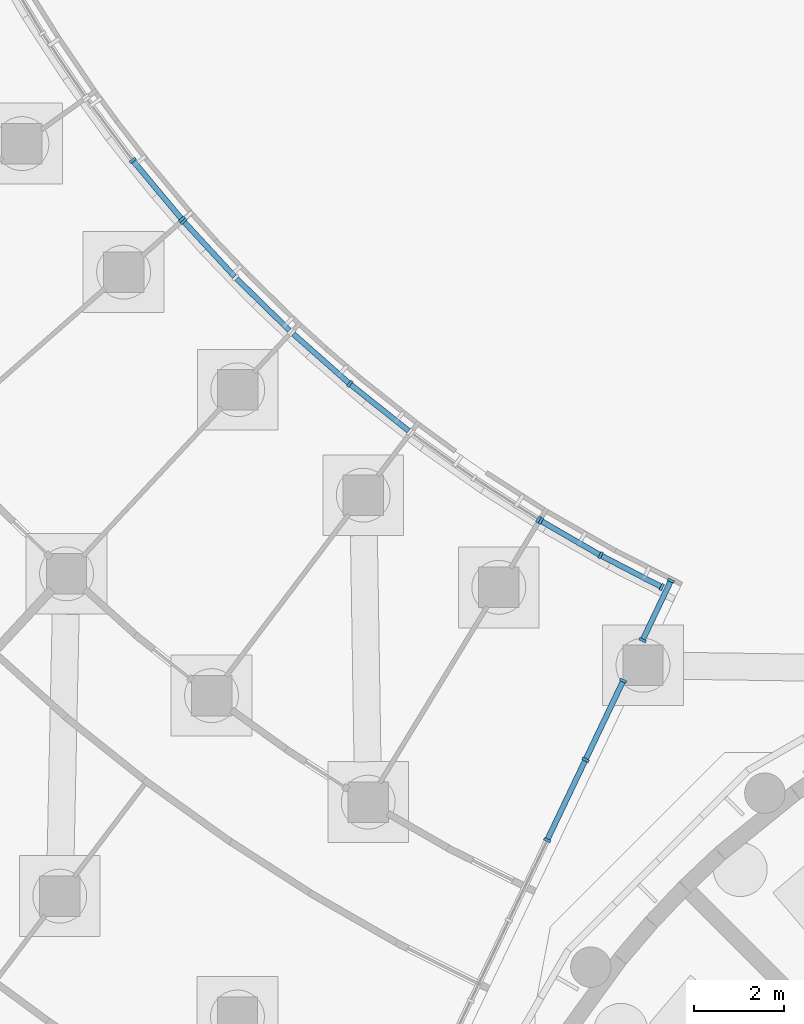
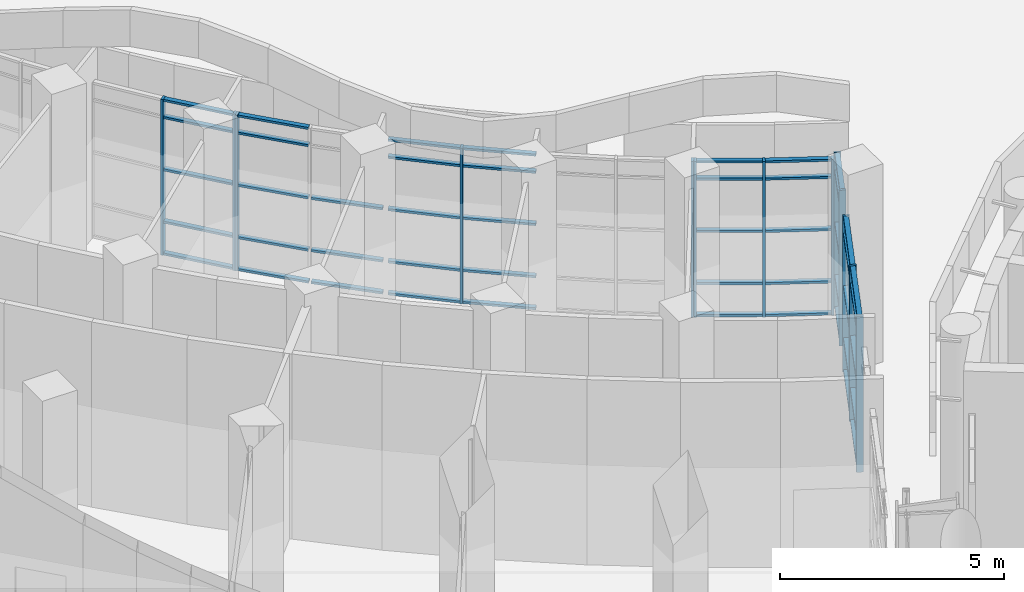
# One storey, part 26 of 146: 61 members, 7 elements without a shape of their own.
"""IFC4 building model written with IfcOpenShell, lengths in metres."""

from ifc_helpers import new_model, si_unit, direction, frame, origin, origin_2d, place, context, subcontext, project, spatial, rectangle, extrude, material, material_profile, profile_set, type_object, element, aggregate, save


model = new_model("IFC4")

# Units and contexts
model_context = context("Model", 3, precision=1e-05, world=origin(), true_north=direction((0.0, 1.0)))
body_context = subcontext(model_context, "Body", "Model", "MODEL_VIEW")
ifc_project = project(units=[si_unit("LENGTHUNIT", "METRE"), si_unit("AREAUNIT", "SQUARE_METRE"), si_unit("VOLUMEUNIT", "CUBIC_METRE"), si_unit("PLANEANGLEUNIT", "RADIAN"), si_unit("MASSUNIT", "GRAM", prefix="KILO")], contexts=[model_context])

# Site, building, storey
site_placement = place(None, origin())
site = spatial("IfcSite", under=ifc_project, at=site_placement, CompositionType="ELEMENT")
building_placement = place(site_placement, origin())
building = spatial("IfcBuilding", under=site, at=building_placement, Name="Bougainvillea Quay General Hospital", CompositionType="ELEMENT")
storey_placement = place(building_placement, origin())
storey = spatial("IfcBuildingStorey", under=building, at=storey_placement, Name="L00", CompositionType="ELEMENT", Elevation=0.0)

# Curtain wall, members
ifc_material_1 = material(Name="Aluminium curtain wall system, powder-coated glazed", Category="aluminium")
curtain_wall_type_1 = type_object("IfcCurtainWallType", Name="Unitised curtain wall CW-1982", PredefinedType="NOTDEFINED", material=ifc_material_1)
curtain_wall_1_placement = place(storey_placement, origin())
curtain_wall_1 = element("IfcCurtainWall", 1, at=curtain_wall_1_placement, inside=storey, type_object=curtain_wall_type_1, Name="CW-AE 00", PredefinedType="NOTDEFINED")
ifc_material_2 = material(Name="Aluminium mullion, powder-coated charcoal", Category="aluminium")
ifc_material_profile_1 = material_profile(ifc_material_2, rectangle(XDim=0.159912109375, YDim=0.06005859375, at=origin_2d()))
ifc_profile_set_1 = profile_set([ifc_material_profile_1], Name="Aluminium mullion, powder-coated charcoal")
member_type_1 = type_object("IfcMemberType", Name="Curtain wall mullion 160x60", PredefinedType="MULLION", material=ifc_profile_set_1)
member_1_placement = place(storey_placement, frame((91.56787109375, 89.614013671875, 0.0), z_axis=(0.0, 0.0, 1.0), x_axis=(-0.902560506484, 0.430563040838, 0.0)))
member_1 = element("IfcMember", 2, at=member_1_placement, type_object=member_type_1, Name="CW-AE mullion 6", PredefinedType="MULLION", context=body_context, shape_type="SweptSolid", body=[
    extrude(rectangle(XDim=0.159912109375, YDim=0.06005859375, at=origin_2d()), origin(), (0.0, 0.0, 1.0), 4.25),
])
member_2_placement = place(storey_placement, frame((92.4208984375, 91.402099609375, 0.0), z_axis=(0.0, 0.0, 1.0), x_axis=(-0.902560506484, 0.430563040838, 0.0)))
member_2 = element("IfcMember", 3, at=member_2_placement, type_object=member_type_1, Name="CW-AE mullion 7", PredefinedType="MULLION", context=body_context, shape_type="SweptSolid", body=[
    extrude(rectangle(XDim=0.159912109375, YDim=0.06005859375, at=origin_2d()), origin(), (0.0, 0.0, 1.0), 4.25),
])
member_3_placement = place(storey_placement, frame((93.260986328125, 93.163330078125, 0.0), z_axis=(0.0, 0.0, 1.0), x_axis=(-0.902560506484, 0.430563040838, 0.0)))
member_3 = element("IfcMember", 4, at=member_3_placement, type_object=member_type_1, Name="CW-AE mullion 8", PredefinedType="MULLION", context=body_context, shape_type="SweptSolid", body=[
    extrude(rectangle(XDim=0.159912109375, YDim=0.06005859375, at=origin_2d()), origin(), (0.0, 0.0, 1.0), 4.25),
])

curtain_wall_type_2 = type_object("IfcCurtainWallType", Name="Unitised curtain wall CW-1530", PredefinedType="NOTDEFINED", material=ifc_material_1)
curtain_wall_2_placement = place(storey_placement, origin())
curtain_wall_2 = element("IfcCurtainWall", 5, at=curtain_wall_2_placement, inside=storey, type_object=curtain_wall_type_2, Name="CW-AE 01", PredefinedType="NOTDEFINED")
member_4_placement = place(storey_placement, frame((93.691650390625, 94.06591796875, 0.0), z_axis=(0.0, 0.0, 1.0), x_axis=(-0.902560506484, 0.430563040838, 0.0)))
member_4 = element("IfcMember", 6, at=member_4_placement, type_object=member_type_1, Name="CW-AE mullion 1", PredefinedType="MULLION", context=body_context, shape_type="SweptSolid", body=[
    extrude(rectangle(XDim=0.159912109375, YDim=0.06005859375, at=origin_2d()), origin(), (0.0, 0.0, 1.0), 4.25),
])
member_5_placement = place(storey_placement, frame((94.324462890625, 95.392578125, 0.0), z_axis=(0.0, 0.0, 1.0), x_axis=(-0.902560506484, 0.430563040838, 0.0)))
member_5 = element("IfcMember", 7, at=member_5_placement, type_object=member_type_1, Name="CW-AE mullion 2", PredefinedType="MULLION", context=body_context, shape_type="SweptSolid", body=[
    extrude(rectangle(XDim=0.159912109375, YDim=0.06005859375, at=origin_2d()), origin(), (0.0, 0.0, 1.0), 4.25),
])

curtain_wall_type_3 = type_object("IfcCurtainWallType", Name="Unitised curtain wall CW-2100", PredefinedType="NOTDEFINED", material=ifc_material_1)
curtain_wall_3_placement = place(storey_placement, origin())
curtain_wall_3 = element("IfcCurtainWall", 8, at=curtain_wall_3_placement, inside=storey, type_object=curtain_wall_type_3, Name="CW-W01 a11b0", PredefinedType="NOTDEFINED")
member_6_placement = place(storey_placement, frame((94.120361328125, 95.2490234375, 0.0), z_axis=(0.0, 0.0, 1.0), x_axis=(-0.459924477228, -0.887958036873, 0.0)))
member_6 = element("IfcMember", 9, at=member_6_placement, type_object=member_type_1, Name="CW-W01 mullion 1", PredefinedType="MULLION", context=body_context, shape_type="SweptSolid", body=[
    extrude(rectangle(XDim=0.159912109375, YDim=0.06005859375, at=origin_2d()), origin(), (0.0, 0.0, 1.0), 4.25),
])
member_7_placement = place(storey_placement, frame((92.756591796875, 95.95556640625, 0.0), z_axis=(0.0, 0.0, 1.0), x_axis=(-0.480103411147, -0.877211898349, 0.0)))
member_7 = element("IfcMember", 10, at=member_7_placement, type_object=member_type_1, Name="CW-W01 mullion 2", PredefinedType="MULLION", context=body_context, shape_type="SweptSolid", body=[
    extrude(rectangle(XDim=0.159912109375, YDim=0.06005859375, at=origin_2d()), origin(), (0.0, 0.0, 1.0), 4.25),
])
member_8_placement = place(storey_placement, frame((91.42626953125, 96.7236328125, 0.0), z_axis=(0.0, 0.0, 1.0), x_axis=(-0.50003140996, -0.866007268476, 0.0)))
member_8 = element("IfcMember", 11, at=member_8_placement, type_object=member_type_1, Name="CW-W01 mullion 3", PredefinedType="MULLION", context=body_context, shape_type="SweptSolid", body=[
    extrude(rectangle(XDim=0.159912109375, YDim=0.06005859375, at=origin_2d()), origin(), (0.0, 0.0, 1.0), 4.25),
])

# Curtain wall, member
curtain_wall_4_placement = place(storey_placement, origin())
curtain_wall_4 = element("IfcCurtainWall", 12, at=curtain_wall_4_placement, inside=storey, type_object=curtain_wall_type_3, Name="CW-W02 a11b1", PredefinedType="NOTDEFINED")
member_9_placement = place(storey_placement, frame((91.375244140625, 96.7548828125, 0.0), z_axis=(0.0, 0.0, 1.0), x_axis=(-0.541194636325, -0.840897357359, 0.0)))
member_9 = element("IfcMember", 13, at=member_9_placement, type_object=member_type_1, Name="CW-W02 mullion 1", PredefinedType="MULLION", context=body_context, shape_type="SweptSolid", body=[
    extrude(rectangle(XDim=0.159912109375, YDim=0.06005859375, at=origin_2d()), origin(), (0.0, 0.0, 1.0), 4.25),
])
aggregate(curtain_wall_4, [member_9])

curtain_wall_5_placement = place(storey_placement, origin())
curtain_wall_5 = element("IfcCurtainWall", 14, at=curtain_wall_5_placement, inside=storey, type_object=curtain_wall_type_3, Name="CW-W03 a11b2", PredefinedType="NOTDEFINED")
member_10_placement = place(storey_placement, frame((87.1708984375, 99.774658203125, 0.0), z_axis=(0.0, 0.0, 1.0), x_axis=(-0.643188621489, -0.765707775321, 0.0)))
member_10 = element("IfcMember", 15, at=member_10_placement, type_object=member_type_1, Name="CW-W03 mullion 2", PredefinedType="MULLION", context=body_context, shape_type="SweptSolid", body=[
    extrude(rectangle(XDim=0.159912109375, YDim=0.06005859375, at=origin_2d()), origin(), (0.0, 0.0, 1.0), 4.25),
])

curtain_wall_6_placement = place(storey_placement, origin())
curtain_wall_6 = element("IfcCurtainWall", 16, at=curtain_wall_6_placement, inside=storey, type_object=curtain_wall_type_3, Name="CW-W04 a11b3", PredefinedType="NOTDEFINED")
member_11_placement = place(storey_placement, frame((83.470703125, 103.39453125, 0.0), z_axis=(0.0, 0.0, 1.0), x_axis=(-0.734855411756, -0.678223800683, 0.0)))
member_11 = element("IfcMember", 17, at=member_11_placement, type_object=member_type_1, Name="CW-W04 mullion 3", PredefinedType="MULLION", context=body_context, shape_type="SweptSolid", body=[
    extrude(rectangle(XDim=0.159912109375, YDim=0.06005859375, at=origin_2d()), origin(), (0.0, 0.0, 1.0), 4.25),
])

# Curtain wall, members
curtain_wall_7_placement = place(storey_placement, origin())
curtain_wall_7 = element("IfcCurtainWall", 18, at=curtain_wall_7_placement, inside=storey, type_object=curtain_wall_type_3, Name="CW-W05 a11b4", PredefinedType="NOTDEFINED")
member_12_placement = place(storey_placement, frame((83.43115234375, 103.439697265625, 0.0), z_axis=(0.0, 0.0, 1.0), x_axis=(-0.768294695498, -0.64009629031, 0.0)))
member_12 = element("IfcMember", 19, at=member_12_placement, type_object=member_type_1, Name="CW-W05 mullion 1", PredefinedType="MULLION", context=body_context, shape_type="SweptSolid", body=[
    extrude(rectangle(XDim=0.159912109375, YDim=0.06005859375, at=origin_2d()), origin(), (0.0, 0.0, 1.0), 4.25),
])
member_13_placement = place(storey_placement, frame((82.338623046875, 104.7509765625, 0.0), z_axis=(0.0, 0.0, 1.0), x_axis=(-0.784278527167, -0.620408890833, 0.0)))
member_13 = element("IfcMember", 20, at=member_13_placement, type_object=member_type_1, Name="CW-W05 mullion 2", PredefinedType="MULLION", context=body_context, shape_type="SweptSolid", body=[
    extrude(rectangle(XDim=0.159912109375, YDim=0.06005859375, at=origin_2d()), origin(), (0.0, 0.0, 1.0), 4.25),
])

# Member
ifc_material_3 = material(Name="Aluminium transom, powder-coated charcoal", Category="aluminium")
ifc_material_profile_2 = material_profile(ifc_material_3, rectangle(XDim=0.1201171875, YDim=0.06005859375, at=origin_2d()))
ifc_profile_set_2 = profile_set([ifc_material_profile_2], Name="Aluminium transom, powder-coated charcoal")
member_type_2 = type_object("IfcMemberType", Name="Curtain wall transom 120x60", PredefinedType="USERDEFINED", material=ifc_profile_set_2)
member_14_placement = place(storey_placement, frame((91.580810546875, 89.64111328125, 0.030029296875), z_axis=(0.430515526529, 0.902583171468, 0.0), x_axis=(-0.902583171468, 0.430515526529, 0.0)))
member_14 = element("IfcMember", 21, at=member_14_placement, type_object=member_type_2, Name="CW-AE transom 6.1", ObjectType="TRANSOM", PredefinedType="USERDEFINED", context=body_context, shape_type="SweptSolid", body=[
    extrude(rectangle(XDim=0.1201171875, YDim=0.06005859375, at=origin_2d()), origin(), (0.0, 0.0, 1.0), 1.92138671875),
])

member_15_placement = place(storey_placement, frame((91.580810546875, 89.64111328125, 0.89990234375), z_axis=(0.430515526529, 0.902583171468, 0.0), x_axis=(-0.902583171468, 0.430515526529, 0.0)))
member_15 = element("IfcMember", 22, at=member_15_placement, type_object=member_type_2, Name="CW-AE transom 6.2", ObjectType="TRANSOM", PredefinedType="USERDEFINED", context=body_context, shape_type="SweptSolid", body=[
    extrude(rectangle(XDim=0.1201171875, YDim=0.06005859375, at=origin_2d()), origin(), (0.0, 0.0, 1.0), 1.92138671875),
])

member_16_placement = place(storey_placement, frame((91.580810546875, 89.64111328125, 2.324951171875), z_axis=(0.430515526529, 0.902583171468, 0.0), x_axis=(-0.902583171468, 0.430515526529, 0.0)))
member_16 = element("IfcMember", 23, at=member_16_placement, type_object=member_type_2, Name="CW-AE transom 6.3", ObjectType="TRANSOM", PredefinedType="USERDEFINED", context=body_context, shape_type="SweptSolid", body=[
    extrude(rectangle(XDim=0.1201171875, YDim=0.06005859375, at=origin_2d()), origin(), (0.0, 0.0, 1.0), 1.92138671875),
])

member_17_placement = place(storey_placement, frame((91.580810546875, 89.64111328125, 3.75), z_axis=(0.430515526529, 0.902583171468, 0.0), x_axis=(-0.902583171468, 0.430515526529, 0.0)))
member_17 = element("IfcMember", 24, at=member_17_placement, type_object=member_type_2, Name="CW-AE transom 6.4", ObjectType="TRANSOM", PredefinedType="USERDEFINED", context=body_context, shape_type="SweptSolid", body=[
    extrude(rectangle(XDim=0.1201171875, YDim=0.06005859375, at=origin_2d()), origin(), (0.0, 0.0, 1.0), 1.92138671875),
])

member_18_placement = place(storey_placement, frame((91.580810546875, 89.64111328125, 4.219970703125), z_axis=(0.430515526529, 0.902583171468, 0.0), x_axis=(-0.902583171468, 0.430515526529, 0.0)))
member_18 = element("IfcMember", 25, at=member_18_placement, type_object=member_type_2, Name="CW-AE transom 6.5", ObjectType="TRANSOM", PredefinedType="USERDEFINED", context=body_context, shape_type="SweptSolid", body=[
    extrude(rectangle(XDim=0.1201171875, YDim=0.06005859375, at=origin_2d()), origin(), (0.0, 0.0, 1.0), 1.92138671875),
])

member_19_placement = place(storey_placement, frame((92.433837890625, 91.42919921875, 0.030029296875), z_axis=(0.430509737613, 0.902585932651, 0.0), x_axis=(-0.902585932651, 0.430509737613, 0.0)))
member_19 = element("IfcMember", 26, at=member_19_placement, type_object=member_type_2, Name="CW-AE transom 7.1", ObjectType="TRANSOM", PredefinedType="USERDEFINED", context=body_context, shape_type="SweptSolid", body=[
    extrude(rectangle(XDim=0.1201171875, YDim=0.06005859375, at=origin_2d()), origin(), (0.0, 0.0, 1.0), 1.891357421875),
])

member_20_placement = place(storey_placement, frame((92.433837890625, 91.42919921875, 0.89990234375), z_axis=(0.430509737613, 0.902585932651, 0.0), x_axis=(-0.902585932651, 0.430509737613, 0.0)))
member_20 = element("IfcMember", 27, at=member_20_placement, type_object=member_type_2, Name="CW-AE transom 7.2", ObjectType="TRANSOM", PredefinedType="USERDEFINED", context=body_context, shape_type="SweptSolid", body=[
    extrude(rectangle(XDim=0.1201171875, YDim=0.06005859375, at=origin_2d()), origin(), (0.0, 0.0, 1.0), 1.891357421875),
])

member_21_placement = place(storey_placement, frame((92.433837890625, 91.42919921875, 2.324951171875), z_axis=(0.430509737613, 0.902585932651, 0.0), x_axis=(-0.902585932651, 0.430509737613, 0.0)))
member_21 = element("IfcMember", 28, at=member_21_placement, type_object=member_type_2, Name="CW-AE transom 7.3", ObjectType="TRANSOM", PredefinedType="USERDEFINED", context=body_context, shape_type="SweptSolid", body=[
    extrude(rectangle(XDim=0.1201171875, YDim=0.06005859375, at=origin_2d()), origin(), (0.0, 0.0, 1.0), 1.891357421875),
])

member_22_placement = place(storey_placement, frame((92.433837890625, 91.42919921875, 3.75), z_axis=(0.430509737613, 0.902585932651, 0.0), x_axis=(-0.902585932651, 0.430509737613, 0.0)))
member_22 = element("IfcMember", 29, at=member_22_placement, type_object=member_type_2, Name="CW-AE transom 7.4", ObjectType="TRANSOM", PredefinedType="USERDEFINED", context=body_context, shape_type="SweptSolid", body=[
    extrude(rectangle(XDim=0.1201171875, YDim=0.06005859375, at=origin_2d()), origin(), (0.0, 0.0, 1.0), 1.891357421875),
])

member_23_placement = place(storey_placement, frame((92.433837890625, 91.42919921875, 4.219970703125), z_axis=(0.430509737613, 0.902585932651, 0.0), x_axis=(-0.902585932651, 0.430509737613, 0.0)))
member_23 = element("IfcMember", 30, at=member_23_placement, type_object=member_type_2, Name="CW-AE transom 7.5", ObjectType="TRANSOM", PredefinedType="USERDEFINED", context=body_context, shape_type="SweptSolid", body=[
    extrude(rectangle(XDim=0.1201171875, YDim=0.06005859375, at=origin_2d()), origin(), (0.0, 0.0, 1.0), 1.891357421875),
])

aggregate(curtain_wall_1, [member_1, member_2, member_3, member_14, member_15, member_16, member_17, member_18, member_19, member_20, member_21, member_22, member_23])

member_24_placement = place(storey_placement, frame((93.70458984375, 94.093017578125, 0.030029296875), z_axis=(0.430511593909, 0.902585047245, 0.0), x_axis=(-0.902585047245, 0.430511593909, 0.0)))
member_24 = element("IfcMember", 31, at=member_24_placement, type_object=member_type_2, Name="CW-AE transom 1.1", ObjectType="TRANSOM", PredefinedType="USERDEFINED", context=body_context, shape_type="SweptSolid", body=[
    extrude(rectangle(XDim=0.1201171875, YDim=0.06005859375, at=origin_2d()), origin(), (0.0, 0.0, 1.0), 1.409912109375),
])

member_25_placement = place(storey_placement, frame((93.70458984375, 94.093017578125, 0.89990234375), z_axis=(0.430511593909, 0.902585047245, 0.0), x_axis=(-0.902585047245, 0.430511593909, 0.0)))
member_25 = element("IfcMember", 32, at=member_25_placement, type_object=member_type_2, Name="CW-AE transom 1.2", ObjectType="TRANSOM", PredefinedType="USERDEFINED", context=body_context, shape_type="SweptSolid", body=[
    extrude(rectangle(XDim=0.1201171875, YDim=0.06005859375, at=origin_2d()), origin(), (0.0, 0.0, 1.0), 1.409912109375),
])

member_26_placement = place(storey_placement, frame((93.70458984375, 94.093017578125, 2.324951171875), z_axis=(0.430511593909, 0.902585047245, 0.0), x_axis=(-0.902585047245, 0.430511593909, 0.0)))
member_26 = element("IfcMember", 33, at=member_26_placement, type_object=member_type_2, Name="CW-AE transom 1.3", ObjectType="TRANSOM", PredefinedType="USERDEFINED", context=body_context, shape_type="SweptSolid", body=[
    extrude(rectangle(XDim=0.1201171875, YDim=0.06005859375, at=origin_2d()), origin(), (0.0, 0.0, 1.0), 1.409912109375),
])

member_27_placement = place(storey_placement, frame((93.70458984375, 94.093017578125, 3.75), z_axis=(0.430511593909, 0.902585047245, 0.0), x_axis=(-0.902585047245, 0.430511593909, 0.0)))
member_27 = element("IfcMember", 34, at=member_27_placement, type_object=member_type_2, Name="CW-AE transom 1.4", ObjectType="TRANSOM", PredefinedType="USERDEFINED", context=body_context, shape_type="SweptSolid", body=[
    extrude(rectangle(XDim=0.1201171875, YDim=0.06005859375, at=origin_2d()), origin(), (0.0, 0.0, 1.0), 1.409912109375),
])

member_28_placement = place(storey_placement, frame((93.70458984375, 94.093017578125, 4.219970703125), z_axis=(0.430511593909, 0.902585047245, 0.0), x_axis=(-0.902585047245, 0.430511593909, 0.0)))
member_28 = element("IfcMember", 35, at=member_28_placement, type_object=member_type_2, Name="CW-AE transom 1.5", ObjectType="TRANSOM", PredefinedType="USERDEFINED", context=body_context, shape_type="SweptSolid", body=[
    extrude(rectangle(XDim=0.1201171875, YDim=0.06005859375, at=origin_2d()), origin(), (0.0, 0.0, 1.0), 1.409912109375),
])

aggregate(curtain_wall_2, [member_4, member_5, member_24, member_25, member_26, member_27, member_28])

member_29_placement = place(storey_placement, frame((94.09375, 95.262939453125, 0.030029296875), z_axis=(-0.887984759124, 0.459872881961, 0.0), x_axis=(-0.459872881961, -0.887984759124, 0.0)))
member_29 = element("IfcMember", 36, at=member_29_placement, type_object=member_type_2, Name="CW-W01 transom 1.1", ObjectType="TRANSOM", PredefinedType="USERDEFINED", context=body_context, shape_type="SweptSolid", body=[
    extrude(rectangle(XDim=0.1201171875, YDim=0.06005859375, at=origin_2d()), origin(), (0.0, 0.0, 1.0), 1.475830078125),
])

member_30_placement = place(storey_placement, frame((94.09375, 95.262939453125, 0.89990234375), z_axis=(-0.887984759124, 0.459872881961, 0.0), x_axis=(-0.459872881961, -0.887984759124, 0.0)))
member_30 = element("IfcMember", 37, at=member_30_placement, type_object=member_type_2, Name="CW-W01 transom 1.2", ObjectType="TRANSOM", PredefinedType="USERDEFINED", context=body_context, shape_type="SweptSolid", body=[
    extrude(rectangle(XDim=0.1201171875, YDim=0.06005859375, at=origin_2d()), origin(), (0.0, 0.0, 1.0), 1.475830078125),
])

member_31_placement = place(storey_placement, frame((94.09375, 95.262939453125, 2.324951171875), z_axis=(-0.887984759124, 0.459872881961, 0.0), x_axis=(-0.459872881961, -0.887984759124, 0.0)))
member_31 = element("IfcMember", 38, at=member_31_placement, type_object=member_type_2, Name="CW-W01 transom 1.3", ObjectType="TRANSOM", PredefinedType="USERDEFINED", context=body_context, shape_type="SweptSolid", body=[
    extrude(rectangle(XDim=0.1201171875, YDim=0.06005859375, at=origin_2d()), origin(), (0.0, 0.0, 1.0), 1.475830078125),
])

member_32_placement = place(storey_placement, frame((94.09375, 95.262939453125, 3.75), z_axis=(-0.887984759124, 0.459872881961, 0.0), x_axis=(-0.459872881961, -0.887984759124, 0.0)))
member_32 = element("IfcMember", 39, at=member_32_placement, type_object=member_type_2, Name="CW-W01 transom 1.4", ObjectType="TRANSOM", PredefinedType="USERDEFINED", context=body_context, shape_type="SweptSolid", body=[
    extrude(rectangle(XDim=0.1201171875, YDim=0.06005859375, at=origin_2d()), origin(), (0.0, 0.0, 1.0), 1.475830078125),
])

member_33_placement = place(storey_placement, frame((94.09375, 95.262939453125, 4.219970703125), z_axis=(-0.887984759124, 0.459872881961, 0.0), x_axis=(-0.459872881961, -0.887984759124, 0.0)))
member_33 = element("IfcMember", 40, at=member_33_placement, type_object=member_type_2, Name="CW-W01 transom 1.5", ObjectType="TRANSOM", PredefinedType="USERDEFINED", context=body_context, shape_type="SweptSolid", body=[
    extrude(rectangle(XDim=0.1201171875, YDim=0.06005859375, at=origin_2d()), origin(), (0.0, 0.0, 1.0), 1.475830078125),
])

member_34_placement = place(storey_placement, frame((92.73046875, 95.970458984375, 0.030029296875), z_axis=(-0.865984475827, 0.500070882603, 0.0), x_axis=(-0.500070882603, -0.865984475827, 0.0)))
member_34 = element("IfcMember", 41, at=member_34_placement, type_object=member_type_2, Name="CW-W01 transom 2.1", ObjectType="TRANSOM", PredefinedType="USERDEFINED", context=body_context, shape_type="SweptSolid", body=[
    extrude(rectangle(XDim=0.1201171875, YDim=0.06005859375, at=origin_2d()), origin(), (0.0, 0.0, 1.0), 1.475830078125),
])

member_35_placement = place(storey_placement, frame((92.73046875, 95.970458984375, 0.89990234375), z_axis=(-0.865984475827, 0.500070882603, 0.0), x_axis=(-0.500070882603, -0.865984475827, 0.0)))
member_35 = element("IfcMember", 42, at=member_35_placement, type_object=member_type_2, Name="CW-W01 transom 2.2", ObjectType="TRANSOM", PredefinedType="USERDEFINED", context=body_context, shape_type="SweptSolid", body=[
    extrude(rectangle(XDim=0.1201171875, YDim=0.06005859375, at=origin_2d()), origin(), (0.0, 0.0, 1.0), 1.475830078125),
])

member_36_placement = place(storey_placement, frame((92.73046875, 95.970458984375, 2.324951171875), z_axis=(-0.865984475827, 0.500070882603, 0.0), x_axis=(-0.500070882603, -0.865984475827, 0.0)))
member_36 = element("IfcMember", 43, at=member_36_placement, type_object=member_type_2, Name="CW-W01 transom 2.3", ObjectType="TRANSOM", PredefinedType="USERDEFINED", context=body_context, shape_type="SweptSolid", body=[
    extrude(rectangle(XDim=0.1201171875, YDim=0.06005859375, at=origin_2d()), origin(), (0.0, 0.0, 1.0), 1.475830078125),
])

member_37_placement = place(storey_placement, frame((92.73046875, 95.970458984375, 3.75), z_axis=(-0.865984475827, 0.500070882603, 0.0), x_axis=(-0.500070882603, -0.865984475827, 0.0)))
member_37 = element("IfcMember", 44, at=member_37_placement, type_object=member_type_2, Name="CW-W01 transom 2.4", ObjectType="TRANSOM", PredefinedType="USERDEFINED", context=body_context, shape_type="SweptSolid", body=[
    extrude(rectangle(XDim=0.1201171875, YDim=0.06005859375, at=origin_2d()), origin(), (0.0, 0.0, 1.0), 1.475830078125),
])

member_38_placement = place(storey_placement, frame((92.73046875, 95.970458984375, 4.219970703125), z_axis=(-0.865984475827, 0.500070882603, 0.0), x_axis=(-0.500070882603, -0.865984475827, 0.0)))
member_38 = element("IfcMember", 45, at=member_38_placement, type_object=member_type_2, Name="CW-W01 transom 2.5", ObjectType="TRANSOM", PredefinedType="USERDEFINED", context=body_context, shape_type="SweptSolid", body=[
    extrude(rectangle(XDim=0.1201171875, YDim=0.06005859375, at=origin_2d()), origin(), (0.0, 0.0, 1.0), 1.475830078125),
])

aggregate(curtain_wall_3, [member_6, member_7, member_8, member_29, member_30, member_31, member_32, member_33, member_34, member_35, member_36, member_37, member_38])

member_39_placement = place(storey_placement, frame((88.48193359375, 98.728759765625, 0.030029296875), z_axis=(-0.781750163409, 0.623591759094, 0.0), x_axis=(-0.623591759094, -0.781750163409, 0.0)))
member_39 = element("IfcMember", 46, at=member_39_placement, type_object=member_type_2, Name="CW-W03 transom 1.1", ObjectType="TRANSOM", PredefinedType="USERDEFINED", context=body_context, shape_type="SweptSolid", body=[
    extrude(rectangle(XDim=0.1201171875, YDim=0.06005859375, at=origin_2d()), origin(), (0.0, 0.0, 1.0), 1.64697265625),
])

member_40_placement = place(storey_placement, frame((88.48193359375, 98.728759765625, 0.89990234375), z_axis=(-0.781750163409, 0.623591759094, 0.0), x_axis=(-0.623591759094, -0.781750163409, 0.0)))
member_40 = element("IfcMember", 47, at=member_40_placement, type_object=member_type_2, Name="CW-W03 transom 1.2", ObjectType="TRANSOM", PredefinedType="USERDEFINED", context=body_context, shape_type="SweptSolid", body=[
    extrude(rectangle(XDim=0.1201171875, YDim=0.06005859375, at=origin_2d()), origin(), (0.0, 0.0, 1.0), 1.64697265625),
])

member_41_placement = place(storey_placement, frame((88.48193359375, 98.728759765625, 2.324951171875), z_axis=(-0.781750163409, 0.623591759094, 0.0), x_axis=(-0.623591759094, -0.781750163409, 0.0)))
member_41 = element("IfcMember", 48, at=member_41_placement, type_object=member_type_2, Name="CW-W03 transom 1.3", ObjectType="TRANSOM", PredefinedType="USERDEFINED", context=body_context, shape_type="SweptSolid", body=[
    extrude(rectangle(XDim=0.1201171875, YDim=0.06005859375, at=origin_2d()), origin(), (0.0, 0.0, 1.0), 1.64697265625),
])

member_42_placement = place(storey_placement, frame((88.48193359375, 98.728759765625, 3.75), z_axis=(-0.781750163409, 0.623591759094, 0.0), x_axis=(-0.623591759094, -0.781750163409, 0.0)))
member_42 = element("IfcMember", 49, at=member_42_placement, type_object=member_type_2, Name="CW-W03 transom 1.4", ObjectType="TRANSOM", PredefinedType="USERDEFINED", context=body_context, shape_type="SweptSolid", body=[
    extrude(rectangle(XDim=0.1201171875, YDim=0.06005859375, at=origin_2d()), origin(), (0.0, 0.0, 1.0), 1.64697265625),
])

member_43_placement = place(storey_placement, frame((88.48193359375, 98.728759765625, 4.219970703125), z_axis=(-0.781750163409, 0.623591759094, 0.0), x_axis=(-0.623591759094, -0.781750163409, 0.0)))
member_43 = element("IfcMember", 50, at=member_43_placement, type_object=member_type_2, Name="CW-W03 transom 1.5", ObjectType="TRANSOM", PredefinedType="USERDEFINED", context=body_context, shape_type="SweptSolid", body=[
    extrude(rectangle(XDim=0.1201171875, YDim=0.06005859375, at=origin_2d()), origin(), (0.0, 0.0, 1.0), 1.64697265625),
])

member_44_placement = place(storey_placement, frame((87.1484375, 99.79443359375, 0.030029296875), z_axis=(-0.749205906667, 0.662337156903, 0.0), x_axis=(-0.662337156903, -0.749205906667, 0.0)))
member_44 = element("IfcMember", 51, at=member_44_placement, type_object=member_type_2, Name="CW-W03 transom 2.1", ObjectType="TRANSOM", PredefinedType="USERDEFINED", context=body_context, shape_type="SweptSolid", body=[
    extrude(rectangle(XDim=0.1201171875, YDim=0.06005859375, at=origin_2d()), origin(), (0.0, 0.0, 1.0), 1.64697265625),
])

member_45_placement = place(storey_placement, frame((87.1484375, 99.79443359375, 0.89990234375), z_axis=(-0.749205906667, 0.662337156903, 0.0), x_axis=(-0.662337156903, -0.749205906667, 0.0)))
member_45 = element("IfcMember", 52, at=member_45_placement, type_object=member_type_2, Name="CW-W03 transom 2.2", ObjectType="TRANSOM", PredefinedType="USERDEFINED", context=body_context, shape_type="SweptSolid", body=[
    extrude(rectangle(XDim=0.1201171875, YDim=0.06005859375, at=origin_2d()), origin(), (0.0, 0.0, 1.0), 1.64697265625),
])

member_46_placement = place(storey_placement, frame((87.1484375, 99.79443359375, 2.324951171875), z_axis=(-0.749205906667, 0.662337156903, 0.0), x_axis=(-0.662337156903, -0.749205906667, 0.0)))
member_46 = element("IfcMember", 53, at=member_46_placement, type_object=member_type_2, Name="CW-W03 transom 2.3", ObjectType="TRANSOM", PredefinedType="USERDEFINED", context=body_context, shape_type="SweptSolid", body=[
    extrude(rectangle(XDim=0.1201171875, YDim=0.06005859375, at=origin_2d()), origin(), (0.0, 0.0, 1.0), 1.64697265625),
])

member_47_placement = place(storey_placement, frame((87.1484375, 99.79443359375, 3.75), z_axis=(-0.749205906667, 0.662337156903, 0.0), x_axis=(-0.662337156903, -0.749205906667, 0.0)))
member_47 = element("IfcMember", 54, at=member_47_placement, type_object=member_type_2, Name="CW-W03 transom 2.4", ObjectType="TRANSOM", PredefinedType="USERDEFINED", context=body_context, shape_type="SweptSolid", body=[
    extrude(rectangle(XDim=0.1201171875, YDim=0.06005859375, at=origin_2d()), origin(), (0.0, 0.0, 1.0), 1.64697265625),
])

member_48_placement = place(storey_placement, frame((87.1484375, 99.79443359375, 4.219970703125), z_axis=(-0.749205906667, 0.662337156903, 0.0), x_axis=(-0.662337156903, -0.749205906667, 0.0)))
member_48 = element("IfcMember", 55, at=member_48_placement, type_object=member_type_2, Name="CW-W03 transom 2.5", ObjectType="TRANSOM", PredefinedType="USERDEFINED", context=body_context, shape_type="SweptSolid", body=[
    extrude(rectangle(XDim=0.1201171875, YDim=0.06005859375, at=origin_2d()), origin(), (0.0, 0.0, 1.0), 1.64697265625),
])

aggregate(curtain_wall_5, [member_10, member_39, member_40, member_41, member_42, member_43, member_44, member_45, member_46, member_47, member_48])

member_49_placement = place(storey_placement, frame((85.82666015625, 100.967041015625, 0.030029296875), z_axis=(-0.714553654445, 0.699580642184, 0.0), x_axis=(-0.699580642184, -0.714553654445, 0.0)))
member_49 = element("IfcMember", 56, at=member_49_placement, type_object=member_type_2, Name="CW-W04 transom 1.1", ObjectType="TRANSOM", PredefinedType="USERDEFINED", context=body_context, shape_type="SweptSolid", body=[
    extrude(rectangle(XDim=0.1201171875, YDim=0.06005859375, at=origin_2d()), origin(), (0.0, 0.0, 1.0), 1.646728515625),
])

member_50_placement = place(storey_placement, frame((85.82666015625, 100.967041015625, 0.89990234375), z_axis=(-0.714553654445, 0.699580642184, 0.0), x_axis=(-0.699580642184, -0.714553654445, 0.0)))
member_50 = element("IfcMember", 57, at=member_50_placement, type_object=member_type_2, Name="CW-W04 transom 1.2", ObjectType="TRANSOM", PredefinedType="USERDEFINED", context=body_context, shape_type="SweptSolid", body=[
    extrude(rectangle(XDim=0.1201171875, YDim=0.06005859375, at=origin_2d()), origin(), (0.0, 0.0, 1.0), 1.646728515625),
])

member_51_placement = place(storey_placement, frame((85.82666015625, 100.967041015625, 2.324951171875), z_axis=(-0.714553654445, 0.699580642184, 0.0), x_axis=(-0.699580642184, -0.714553654445, 0.0)))
member_51 = element("IfcMember", 58, at=member_51_placement, type_object=member_type_2, Name="CW-W04 transom 1.3", ObjectType="TRANSOM", PredefinedType="USERDEFINED", context=body_context, shape_type="SweptSolid", body=[
    extrude(rectangle(XDim=0.1201171875, YDim=0.06005859375, at=origin_2d()), origin(), (0.0, 0.0, 1.0), 1.646728515625),
])

member_52_placement = place(storey_placement, frame((84.60791015625, 102.162109375, 0.030029296875), z_axis=(-0.678150805641, 0.734922774725, 0.0), x_axis=(-0.734922774725, -0.678150805641, 0.0)))
member_52 = element("IfcMember", 59, at=member_52_placement, type_object=member_type_2, Name="CW-W04 transom 2.1", ObjectType="TRANSOM", PredefinedType="USERDEFINED", context=body_context, shape_type="SweptSolid", body=[
    extrude(rectangle(XDim=0.1201171875, YDim=0.06005859375, at=origin_2d()), origin(), (0.0, 0.0, 1.0), 1.64697265625),
])

member_53_placement = place(storey_placement, frame((84.60791015625, 102.162109375, 0.89990234375), z_axis=(-0.678150805641, 0.734922774725, 0.0), x_axis=(-0.734922774725, -0.678150805641, 0.0)))
member_53 = element("IfcMember", 60, at=member_53_placement, type_object=member_type_2, Name="CW-W04 transom 2.2", ObjectType="TRANSOM", PredefinedType="USERDEFINED", context=body_context, shape_type="SweptSolid", body=[
    extrude(rectangle(XDim=0.1201171875, YDim=0.06005859375, at=origin_2d()), origin(), (0.0, 0.0, 1.0), 1.64697265625),
])

member_54_placement = place(storey_placement, frame((84.60791015625, 102.162109375, 2.324951171875), z_axis=(-0.678150805641, 0.734922774725, 0.0), x_axis=(-0.734922774725, -0.678150805641, 0.0)))
member_54 = element("IfcMember", 61, at=member_54_placement, type_object=member_type_2, Name="CW-W04 transom 2.3", ObjectType="TRANSOM", PredefinedType="USERDEFINED", context=body_context, shape_type="SweptSolid", body=[
    extrude(rectangle(XDim=0.1201171875, YDim=0.06005859375, at=origin_2d()), origin(), (0.0, 0.0, 1.0), 1.64697265625),
])

member_55_placement = place(storey_placement, frame((84.60791015625, 102.162109375, 3.75), z_axis=(-0.678150805641, 0.734922774725, 0.0), x_axis=(-0.734922774725, -0.678150805641, 0.0)))
member_55 = element("IfcMember", 62, at=member_55_placement, type_object=member_type_2, Name="CW-W04 transom 2.4", ObjectType="TRANSOM", PredefinedType="USERDEFINED", context=body_context, shape_type="SweptSolid", body=[
    extrude(rectangle(XDim=0.1201171875, YDim=0.06005859375, at=origin_2d()), origin(), (0.0, 0.0, 1.0), 1.64697265625),
])

member_56_placement = place(storey_placement, frame((84.60791015625, 102.162109375, 4.219970703125), z_axis=(-0.678150805641, 0.734922774725, 0.0), x_axis=(-0.734922774725, -0.678150805641, 0.0)))
member_56 = element("IfcMember", 63, at=member_56_placement, type_object=member_type_2, Name="CW-W04 transom 2.5", ObjectType="TRANSOM", PredefinedType="USERDEFINED", context=body_context, shape_type="SweptSolid", body=[
    extrude(rectangle(XDim=0.1201171875, YDim=0.06005859375, at=origin_2d()), origin(), (0.0, 0.0, 1.0), 1.64697265625),
])

aggregate(curtain_wall_6, [member_11, member_49, member_50, member_51, member_52, member_53, member_54, member_55, member_56])

member_57_placement = place(storey_placement, frame((83.411865234375, 103.462646484375, 0.030029296875), z_axis=(-0.640082329998, 0.768306326165, 0.0), x_axis=(-0.768306326165, -0.640082329998, 0.0)))
member_57 = element("IfcMember", 64, at=member_57_placement, type_object=member_type_2, Name="CW-W05 transom 1.1", ObjectType="TRANSOM", PredefinedType="USERDEFINED", context=body_context, shape_type="SweptSolid", body=[
    extrude(rectangle(XDim=0.1201171875, YDim=0.06005859375, at=origin_2d()), origin(), (0.0, 0.0, 1.0), 1.64697265625),
])

member_58_placement = place(storey_placement, frame((83.411865234375, 103.462646484375, 0.89990234375), z_axis=(-0.640082329998, 0.768306326165, 0.0), x_axis=(-0.768306326165, -0.640082329998, 0.0)))
member_58 = element("IfcMember", 65, at=member_58_placement, type_object=member_type_2, Name="CW-W05 transom 1.2", ObjectType="TRANSOM", PredefinedType="USERDEFINED", context=body_context, shape_type="SweptSolid", body=[
    extrude(rectangle(XDim=0.1201171875, YDim=0.06005859375, at=origin_2d()), origin(), (0.0, 0.0, 1.0), 1.64697265625),
])

member_59_placement = place(storey_placement, frame((83.411865234375, 103.462646484375, 2.324951171875), z_axis=(-0.640082329998, 0.768306326165, 0.0), x_axis=(-0.768306326165, -0.640082329998, 0.0)))
member_59 = element("IfcMember", 66, at=member_59_placement, type_object=member_type_2, Name="CW-W05 transom 1.3", ObjectType="TRANSOM", PredefinedType="USERDEFINED", context=body_context, shape_type="SweptSolid", body=[
    extrude(rectangle(XDim=0.1201171875, YDim=0.06005859375, at=origin_2d()), origin(), (0.0, 0.0, 1.0), 1.64697265625),
])

member_60_placement = place(storey_placement, frame((83.411865234375, 103.462646484375, 3.75), z_axis=(-0.640082329998, 0.768306326165, 0.0), x_axis=(-0.768306326165, -0.640082329998, 0.0)))
member_60 = element("IfcMember", 67, at=member_60_placement, type_object=member_type_2, Name="CW-W05 transom 1.4", ObjectType="TRANSOM", PredefinedType="USERDEFINED", context=body_context, shape_type="SweptSolid", body=[
    extrude(rectangle(XDim=0.1201171875, YDim=0.06005859375, at=origin_2d()), origin(), (0.0, 0.0, 1.0), 1.64697265625),
])

member_61_placement = place(storey_placement, frame((83.411865234375, 103.462646484375, 4.219970703125), z_axis=(-0.640082329998, 0.768306326165, 0.0), x_axis=(-0.768306326165, -0.640082329998, 0.0)))
member_61 = element("IfcMember", 68, at=member_61_placement, type_object=member_type_2, Name="CW-W05 transom 1.5", ObjectType="TRANSOM", PredefinedType="USERDEFINED", context=body_context, shape_type="SweptSolid", body=[
    extrude(rectangle(XDim=0.1201171875, YDim=0.06005859375, at=origin_2d()), origin(), (0.0, 0.0, 1.0), 1.64697265625),
])

aggregate(curtain_wall_7, [member_12, member_13, member_57, member_58, member_59, member_60, member_61])

save(model, "model.ifc")
